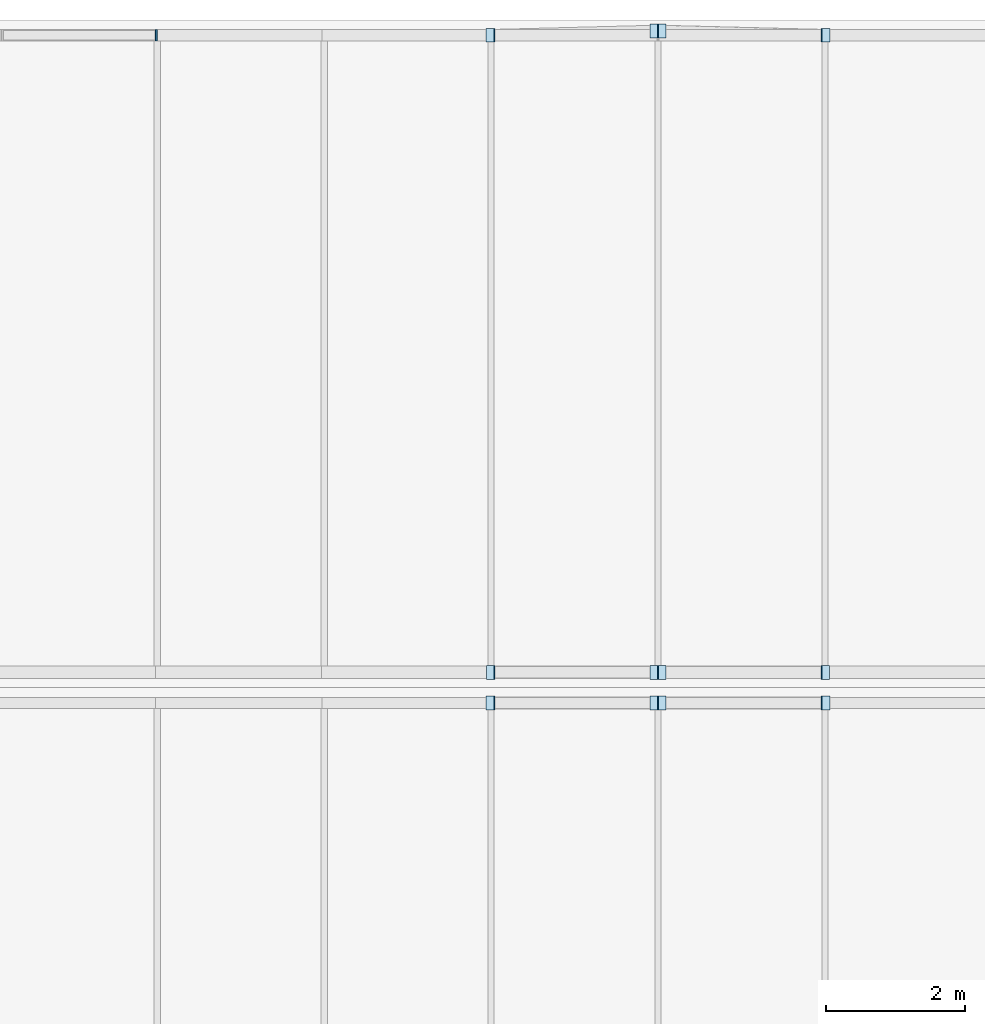
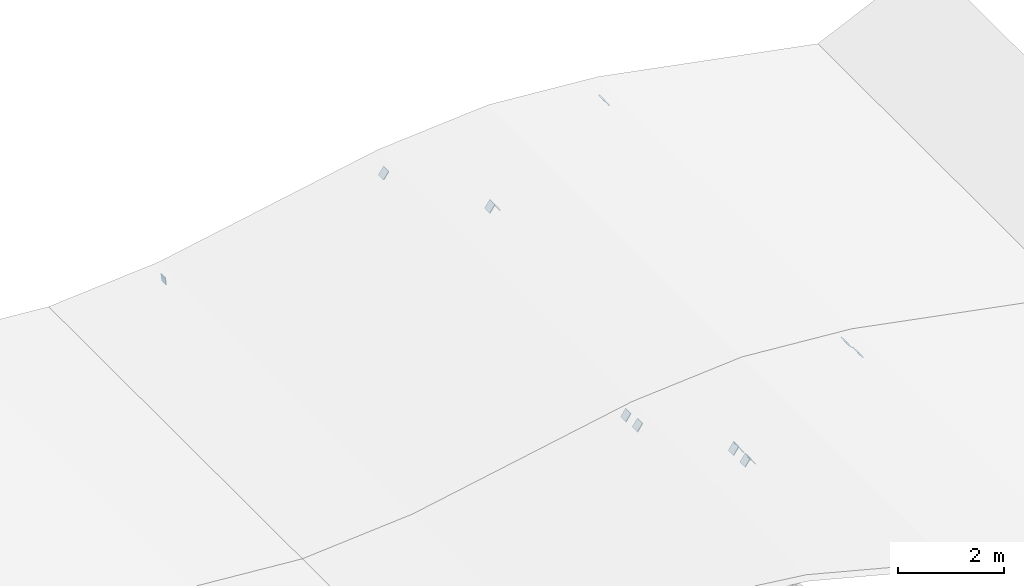
# One storey, part 149 of 170: 13 plates.
"""IFC4 building model written with IfcOpenShell, lengths in metres."""

from ifc_helpers import new_model, si_unit, direction, frame, origin, origin_2d, place, context, subcontext, project, spatial, rectangle, extrude, material, layer, layer_set, type_object, element, save


model = new_model("IFC4")

# Units and contexts
model_context = context("Model", 3, precision=1e-05, world=origin(), true_north=direction((0.0, 1.0)))
body_context = subcontext(model_context, "Body", "Model", "MODEL_VIEW")
ifc_project = project(units=[si_unit("LENGTHUNIT", "METRE"), si_unit("AREAUNIT", "SQUARE_METRE"), si_unit("VOLUMEUNIT", "CUBIC_METRE"), si_unit("PLANEANGLEUNIT", "RADIAN"), si_unit("MASSUNIT", "GRAM", prefix="KILO")], contexts=[model_context])

# Site, building, storey
site_placement = place(None, origin())
site = spatial("IfcSite", under=ifc_project, at=site_placement, CompositionType="ELEMENT")
building_placement = place(site_placement, origin())
building = spatial("IfcBuilding", under=site, at=building_placement, Name="Coralgate Yard Interchange", CompositionType="ELEMENT")
storey_placement = place(building_placement, frame((0.0, 0.0, 6.0)))
storey = spatial("IfcBuildingStorey", under=building, at=storey_placement, Name="L01", CompositionType="ELEMENT", Elevation=6.0)

# Plates
ifc_material = material(Name="Structural steel S355J2", Category="steel")
ifc_layer = layer(ifc_material, 0.01806640625)
ifc_layer_set = layer_set([ifc_layer], Name="Structural steel S355J2")
plate_type = type_object("IfcPlateType", Name="PLT-EP-18", PredefinedType="USERDEFINED", material=ifc_layer_set)
for number, where, z_axis, x_axis, name in (
    (1, (163.138427734375, 105.3798828125, -0.678955078125), (0.821435746077, 0.0, -0.570301074054), (0.0, 1.0, 0.0), "Steel hollow section end cap plate CAP-WVBR-R1-W7-N-L-0"),
    (2, (160.801513671875, 105.3798828125, 0.943359375), (-0.821435746077, 0.0, 0.570301074054), (0.0, -1.0, 0.0), "Steel hollow section end cap plate CAP-WVBR-R1-W7-N-L-1"),
    (3, (163.261474609375, 105.3798828125, -0.678955078125), (-0.821435746077, 0.0, -0.570301074054), (0.0, -1.0, 0.0), "Steel hollow section end cap plate CAP-WVBR-R1-W7-N-R-0"),
    (4, (165.598388671875, 105.3798828125, 0.943359375), (0.821435746077, 0.0, 0.570301074054), (0.0, 1.0, 0.0), "Steel hollow section end cap plate CAP-WVBR-R1-W7-N-R-1"),
    (5, (163.13818359375, 105.820068359375, -0.6787109375), (0.827189409026, 0.0, -0.561923199018), (0.0, 1.0, 0.0), "Steel hollow section end cap plate CAP-WVBR-R2-W7-S-L-0"),
    (6, (160.8017578125, 105.820068359375, 0.908447265625), (-0.827189409026, 0.0, 0.561923199018), (0.0, -1.0, 0.0), "Steel hollow section end cap plate CAP-WVBR-R2-W7-S-L-1"),
    (7, (163.26171875, 105.820068359375, -0.6787109375), (-0.827189409026, 0.0, -0.561923199018), (0.0, -1.0, 0.0), "Steel hollow section end cap plate CAP-WVBR-R2-W7-S-R-0"),
    (8, (165.59814453125, 105.820068359375, 0.908447265625), (0.827189409026, 0.0, 0.561923199018), (0.0, 1.0, 0.0), "Steel hollow section end cap plate CAP-WVBR-R2-W7-S-R-1"),
    (9, (163.138427734375, 115.0400390625, -0.678955078125), (0.821435746077, 0.0, -0.570301074054), (0.0, 1.0, 0.0), "Steel hollow section end cap plate CAP-WVBR-R2-W7-N-L-0"),
    (10, (160.801513671875, 114.97998046875, 0.943359375), (-0.821435746077, 0.0, 0.570301074054), (0.0, -1.0, 0.0), "Steel hollow section end cap plate CAP-WVBR-R2-W7-N-L-1"),
    (11, (163.261474609375, 115.0400390625, -0.678955078125), (-0.821435746077, 0.0, -0.570301074054), (0.0, -1.0, 0.0), "Steel hollow section end cap plate CAP-WVBR-R2-W7-N-R-0"),
    (12, (165.598388671875, 114.97998046875, 0.943359375), (0.821435746077, 0.0, 0.570301074054), (0.0, 1.0, 0.0), "Steel hollow section end cap plate CAP-WVBR-R2-W7-N-R-1"),
):
    element("IfcPlate", number, at=place(storey_placement, frame(where, z_axis=z_axis, x_axis=x_axis)), inside=storey, type_object=plate_type, Name=name, ObjectType="CAP PLATE", PredefinedType="USERDEFINED", context=body_context, shape_type="SweptSolid", body=[
        extrude(rectangle(XDim=0.197998046875, YDim=0.197998046875, at=origin_2d()), origin(), (0.0, 0.0, 1.0), 0.01806640625),
    ])
plate_placement = place(storey_placement, frame((155.97802734375, 114.97998046875, 0.179931640625), z_axis=(0.993088841046, 0.0, 0.117365045005), x_axis=(0.0, 1.0, 0.0)))
element("IfcPlate", 13, at=plate_placement, inside=storey, type_object=plate_type, Name="Steel hollow section end cap plate CAP-WSUB-07-1", ObjectType="CAP PLATE", PredefinedType="USERDEFINED", context=body_context, shape_type="SweptSolid", body=[
    extrude(rectangle(XDim=0.169921875, YDim=0.169921875, at=origin_2d()), origin(), (0.0, 0.0, 1.0), 0.01806640625),
])

save(model, "model.ifc")
